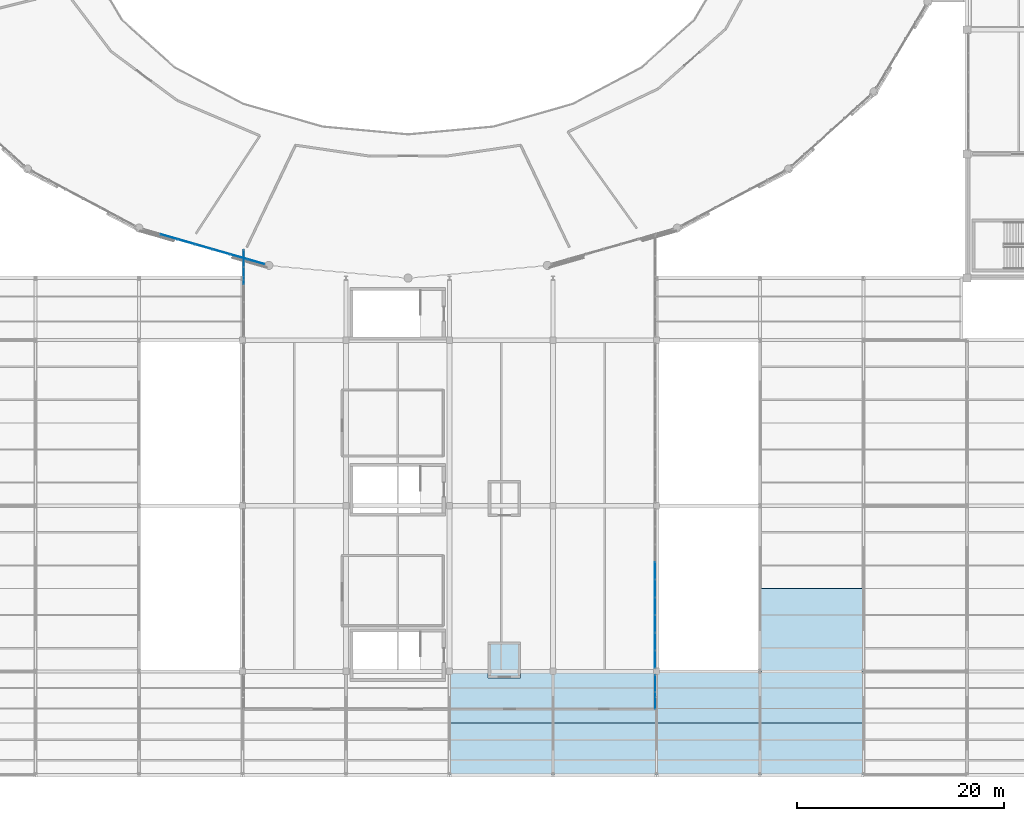
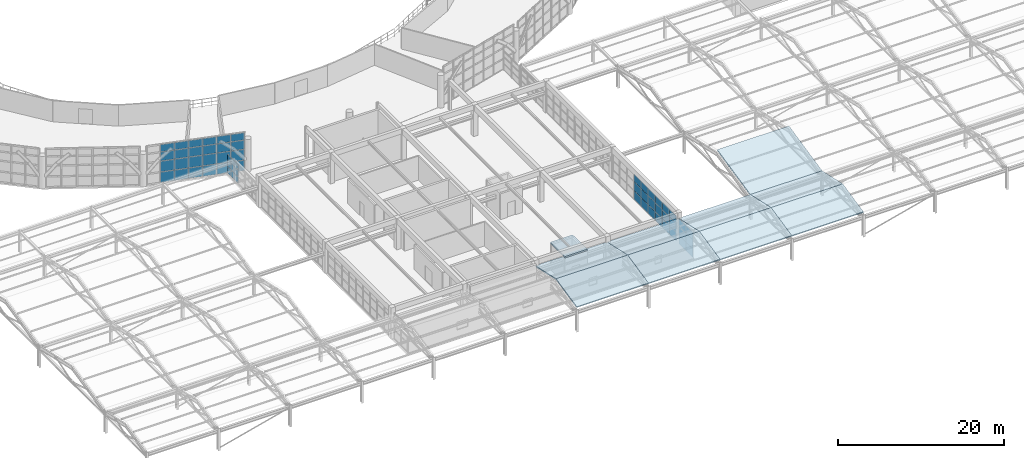
# One storey, part 63 of 109: 54 plates, 10 slabs, 5 elements without a shape of their own.
"""IFC4 building model written with IfcOpenShell, lengths in metres."""

from ifc_helpers import new_model, si_unit, direction, frame, origin, origin_2d, place, context, subcontext, project, spatial, polyline, rectangle, outline, extrude, material, layer, layer_set, type_object, element, aggregate, save


model = new_model("IFC4")

# Units and contexts
model_context = context("Model", 3, precision=1e-05, world=origin(), true_north=direction((0.0, 1.0)))
body_context = subcontext(model_context, "Body", "Model", "MODEL_VIEW")
ifc_project = project(units=[si_unit("LENGTHUNIT", "METRE"), si_unit("AREAUNIT", "SQUARE_METRE"), si_unit("VOLUMEUNIT", "CUBIC_METRE"), si_unit("PLANEANGLEUNIT", "RADIAN"), si_unit("MASSUNIT", "GRAM", prefix="KILO")], contexts=[model_context])

# Site, building, storey
site_placement = place(None, origin())
site = spatial("IfcSite", under=ifc_project, at=site_placement, CompositionType="ELEMENT")
building_placement = place(site_placement, origin())
building = spatial("IfcBuilding", under=site, at=building_placement, Name="Kivolera Central Railway Station", CompositionType="ELEMENT")
storey_placement = place(building_placement, frame((0.0, 0.0, 9.60009765625)))
storey = spatial("IfcBuildingStorey", under=building, at=storey_placement, Name="L02", CompositionType="ELEMENT", Elevation=9.60009765625)

# Curtain wall, plates
ifc_material_1 = material(Name="Anodised aluminium", Category="aluminium")
ifc_layer_1 = layer(ifc_material_1, 0.179931640625, Name="Anodised aluminium")
ifc_layer_set_1 = layer_set([ifc_layer_1], Name="Anodised aluminium")
curtain_wall_type_1 = type_object("IfcCurtainWallType", Name="CW-SYS-11", PredefinedType="NOTDEFINED", material=ifc_layer_set_1)
curtain_wall_1_placement = place(storey_placement, origin())
curtain_wall_1 = element("IfcCurtainWall", 1, at=curtain_wall_1_placement, inside=storey, type_object=curtain_wall_type_1, Name="L02 Curtain Wall CW-L02-OVL-16", PredefinedType="NOTDEFINED")
ifc_material_2 = material(Name="Double low-E laminated glass", Category="glass")
ifc_layer_2 = layer(ifc_material_2, 0.0380859375, Name="Double low-E laminated glass")
ifc_layer_set_2 = layer_set([ifc_layer_2], Name="Double low-E laminated glass")
plate_type_1 = type_object("IfcPlateType", Name="CWP-GLZ-4", PredefinedType="CURTAIN_PANEL", material=ifc_layer_set_2)
plate_1_placement = place(storey_placement, frame((49.29833984375, 55.5830078125, 0.057861328125), z_axis=(0.0, 0.0, 1.0), x_axis=(-0.961246112288, 0.275691696668, 0.0)))
plate_1 = element("IfcPlate", 2, at=plate_1_placement, type_object=plate_type_1, Name="CW-11 panel 1.1", PredefinedType="CURTAIN_PANEL", context=body_context, shape_type="SweptSolid", body=[
    extrude(rectangle(XDim=1.66845703125, YDim=0.0380859375, at=origin_2d()), origin(), (0.0, 0.0, 1.0), 1.51904296875),
])
plate_2_placement = place(storey_placement, frame((49.29833984375, 55.5830078125, 1.623046875), z_axis=(0.0, 0.0, 1.0), x_axis=(-0.961246112288, 0.275691696668, 0.0)))
plate_2 = element("IfcPlate", 3, at=plate_2_placement, type_object=plate_type_1, Name="CW-11 panel 1.2", PredefinedType="CURTAIN_PANEL", context=body_context, shape_type="SweptSolid", body=[
    extrude(rectangle(XDim=1.66845703125, YDim=0.0380859375, at=origin_2d()), origin(), (0.0, 0.0, 1.0), 1.553955078125),
])
plate_3_placement = place(storey_placement, frame((49.29833984375, 55.5830078125, 3.22314453125), z_axis=(0.0, 0.0, 1.0), x_axis=(-0.961246112288, 0.275691696668, 0.0)))
plate_3 = element("IfcPlate", 4, at=plate_3_placement, type_object=plate_type_1, Name="CW-11 panel 1.3", PredefinedType="CURTAIN_PANEL", context=body_context, shape_type="SweptSolid", body=[
    extrude(rectangle(XDim=1.66845703125, YDim=0.0380859375, at=origin_2d()), origin(), (0.0, 0.0, 1.0), 1.303955078125),
])
plate_4_placement = place(storey_placement, frame((49.29833984375, 55.5830078125, 4.57275390625), z_axis=(0.0, 0.0, 1.0), x_axis=(-0.961246112288, 0.275691696668, 0.0)))
plate_4 = element("IfcPlate", 5, at=plate_4_placement, type_object=plate_type_1, Name="CW-11 panel 1.4", PredefinedType="CURTAIN_PANEL", context=body_context, shape_type="SweptSolid", body=[
    extrude(rectangle(XDim=1.66845703125, YDim=0.0380859375, at=origin_2d()), origin(), (0.0, 0.0, 1.0), 1.069091796875),
])
plate_5_placement = place(storey_placement, frame((47.633544921875, 56.060546875, 0.057861328125), z_axis=(0.0, 0.0, 1.0), x_axis=(-0.961246112288, 0.275691696668, 0.0)))
plate_5 = element("IfcPlate", 6, at=plate_5_placement, type_object=plate_type_1, Name="CW-11 panel 2.1", PredefinedType="CURTAIN_PANEL", context=body_context, shape_type="SweptSolid", body=[
    extrude(rectangle(XDim=1.703369140625, YDim=0.0380859375, at=origin_2d()), origin(), (0.0, 0.0, 1.0), 1.51904296875),
])
plate_6_placement = place(storey_placement, frame((47.633544921875, 56.060546875, 1.623046875), z_axis=(0.0, 0.0, 1.0), x_axis=(-0.961246112288, 0.275691696668, 0.0)))
plate_6 = element("IfcPlate", 7, at=plate_6_placement, type_object=plate_type_1, Name="CW-11 panel 2.2", PredefinedType="CURTAIN_PANEL", context=body_context, shape_type="SweptSolid", body=[
    extrude(rectangle(XDim=1.703369140625, YDim=0.0380859375, at=origin_2d()), origin(), (0.0, 0.0, 1.0), 1.553955078125),
])
plate_7_placement = place(storey_placement, frame((47.633544921875, 56.060546875, 3.22314453125), z_axis=(0.0, 0.0, 1.0), x_axis=(-0.961246112288, 0.275691696668, 0.0)))
plate_7 = element("IfcPlate", 8, at=plate_7_placement, type_object=plate_type_1, Name="CW-11 panel 2.3", PredefinedType="CURTAIN_PANEL", context=body_context, shape_type="SweptSolid", body=[
    extrude(rectangle(XDim=1.703369140625, YDim=0.0380859375, at=origin_2d()), origin(), (0.0, 0.0, 1.0), 1.303955078125),
])
plate_8_placement = place(storey_placement, frame((47.633544921875, 56.060546875, 4.57275390625), z_axis=(0.0, 0.0, 1.0), x_axis=(-0.961246112288, 0.275691696668, 0.0)))
plate_8 = element("IfcPlate", 9, at=plate_8_placement, type_object=plate_type_1, Name="CW-11 panel 2.4", PredefinedType="CURTAIN_PANEL", context=body_context, shape_type="SweptSolid", body=[
    extrude(rectangle(XDim=1.703369140625, YDim=0.0380859375, at=origin_2d()), origin(), (0.0, 0.0, 1.0), 1.069091796875),
])
plate_9_placement = place(storey_placement, frame((45.9521484375, 56.542724609375, 0.057861328125), z_axis=(0.0, 0.0, 1.0), x_axis=(-0.961246112288, 0.275691696668, 0.0)))
plate_9 = element("IfcPlate", 10, at=plate_9_placement, type_object=plate_type_1, Name="CW-11 panel 3.1", PredefinedType="CURTAIN_PANEL", context=body_context, shape_type="SweptSolid", body=[
    extrude(rectangle(XDim=1.703369140625, YDim=0.0380859375, at=origin_2d()), origin(), (0.0, 0.0, 1.0), 1.51904296875),
])
plate_10_placement = place(storey_placement, frame((45.9521484375, 56.542724609375, 1.623046875), z_axis=(0.0, 0.0, 1.0), x_axis=(-0.961246112288, 0.275691696668, 0.0)))
plate_10 = element("IfcPlate", 11, at=plate_10_placement, type_object=plate_type_1, Name="CW-11 panel 3.2", PredefinedType="CURTAIN_PANEL", context=body_context, shape_type="SweptSolid", body=[
    extrude(rectangle(XDim=1.703369140625, YDim=0.0380859375, at=origin_2d()), origin(), (0.0, 0.0, 1.0), 1.553955078125),
])
plate_11_placement = place(storey_placement, frame((45.9521484375, 56.542724609375, 3.22314453125), z_axis=(0.0, 0.0, 1.0), x_axis=(-0.961246112288, 0.275691696668, 0.0)))
plate_11 = element("IfcPlate", 12, at=plate_11_placement, type_object=plate_type_1, Name="CW-11 panel 3.3", PredefinedType="CURTAIN_PANEL", context=body_context, shape_type="SweptSolid", body=[
    extrude(rectangle(XDim=1.703369140625, YDim=0.0380859375, at=origin_2d()), origin(), (0.0, 0.0, 1.0), 1.303955078125),
])
plate_12_placement = place(storey_placement, frame((45.9521484375, 56.542724609375, 4.57275390625), z_axis=(0.0, 0.0, 1.0), x_axis=(-0.961246112288, 0.275691696668, 0.0)))
plate_12 = element("IfcPlate", 13, at=plate_12_placement, type_object=plate_type_1, Name="CW-11 panel 3.4", PredefinedType="CURTAIN_PANEL", context=body_context, shape_type="SweptSolid", body=[
    extrude(rectangle(XDim=1.703369140625, YDim=0.0380859375, at=origin_2d()), origin(), (0.0, 0.0, 1.0), 1.069091796875),
])
plate_13_placement = place(storey_placement, frame((44.2705078125, 57.02490234375, 0.057861328125), z_axis=(0.0, 0.0, 1.0), x_axis=(-0.961246112288, 0.275691696668, 0.0)))
plate_13 = element("IfcPlate", 14, at=plate_13_placement, type_object=plate_type_1, Name="CW-11 panel 4.1", PredefinedType="CURTAIN_PANEL", context=body_context, shape_type="SweptSolid", body=[
    extrude(rectangle(XDim=1.703369140625, YDim=0.0380859375, at=origin_2d()), origin(), (0.0, 0.0, 1.0), 1.51904296875),
])
plate_14_placement = place(storey_placement, frame((44.2705078125, 57.02490234375, 1.623046875), z_axis=(0.0, 0.0, 1.0), x_axis=(-0.961246112288, 0.275691696668, 0.0)))
plate_14 = element("IfcPlate", 15, at=plate_14_placement, type_object=plate_type_1, Name="CW-11 panel 4.2", PredefinedType="CURTAIN_PANEL", context=body_context, shape_type="SweptSolid", body=[
    extrude(rectangle(XDim=1.703369140625, YDim=0.0380859375, at=origin_2d()), origin(), (0.0, 0.0, 1.0), 1.553955078125),
])
plate_15_placement = place(storey_placement, frame((44.2705078125, 57.02490234375, 3.22314453125), z_axis=(0.0, 0.0, 1.0), x_axis=(-0.961246112288, 0.275691696668, 0.0)))
plate_15 = element("IfcPlate", 16, at=plate_15_placement, type_object=plate_type_1, Name="CW-11 panel 4.3", PredefinedType="CURTAIN_PANEL", context=body_context, shape_type="SweptSolid", body=[
    extrude(rectangle(XDim=1.703369140625, YDim=0.0380859375, at=origin_2d()), origin(), (0.0, 0.0, 1.0), 1.303955078125),
])
plate_16_placement = place(storey_placement, frame((44.2705078125, 57.02490234375, 4.57275390625), z_axis=(0.0, 0.0, 1.0), x_axis=(-0.961246112288, 0.275691696668, 0.0)))
plate_16 = element("IfcPlate", 17, at=plate_16_placement, type_object=plate_type_1, Name="CW-11 panel 4.4", PredefinedType="CURTAIN_PANEL", context=body_context, shape_type="SweptSolid", body=[
    extrude(rectangle(XDim=1.703369140625, YDim=0.0380859375, at=origin_2d()), origin(), (0.0, 0.0, 1.0), 1.069091796875),
])
plate_17_placement = place(storey_placement, frame((42.5888671875, 57.50732421875, 0.057861328125), z_axis=(0.0, 0.0, 1.0), x_axis=(-0.961246112288, 0.275691696668, 0.0)))
plate_17 = element("IfcPlate", 18, at=plate_17_placement, type_object=plate_type_1, Name="CW-11 panel 5.1", PredefinedType="CURTAIN_PANEL", context=body_context, shape_type="SweptSolid", body=[
    extrude(rectangle(XDim=1.703369140625, YDim=0.0380859375, at=origin_2d()), origin(), (0.0, 0.0, 1.0), 1.51904296875),
])
plate_18_placement = place(storey_placement, frame((42.5888671875, 57.50732421875, 1.623046875), z_axis=(0.0, 0.0, 1.0), x_axis=(-0.961246112288, 0.275691696668, 0.0)))
plate_18 = element("IfcPlate", 19, at=plate_18_placement, type_object=plate_type_1, Name="CW-11 panel 5.2", PredefinedType="CURTAIN_PANEL", context=body_context, shape_type="SweptSolid", body=[
    extrude(rectangle(XDim=1.703369140625, YDim=0.0380859375, at=origin_2d()), origin(), (0.0, 0.0, 1.0), 1.553955078125),
])
plate_19_placement = place(storey_placement, frame((42.5888671875, 57.50732421875, 3.22314453125), z_axis=(0.0, 0.0, 1.0), x_axis=(-0.961246112288, 0.275691696668, 0.0)))
plate_19 = element("IfcPlate", 20, at=plate_19_placement, type_object=plate_type_1, Name="CW-11 panel 5.3", PredefinedType="CURTAIN_PANEL", context=body_context, shape_type="SweptSolid", body=[
    extrude(rectangle(XDim=1.703369140625, YDim=0.0380859375, at=origin_2d()), origin(), (0.0, 0.0, 1.0), 1.303955078125),
])
plate_20_placement = place(storey_placement, frame((42.5888671875, 57.50732421875, 4.57275390625), z_axis=(0.0, 0.0, 1.0), x_axis=(-0.961246112288, 0.275691696668, 0.0)))
plate_20 = element("IfcPlate", 21, at=plate_20_placement, type_object=plate_type_1, Name="CW-11 panel 5.4", PredefinedType="CURTAIN_PANEL", context=body_context, shape_type="SweptSolid", body=[
    extrude(rectangle(XDim=1.703369140625, YDim=0.0380859375, at=origin_2d()), origin(), (0.0, 0.0, 1.0), 1.069091796875),
])
plate_21_placement = place(storey_placement, frame((40.907470703125, 57.989501953125, 0.057861328125), z_axis=(0.0, 0.0, 1.0), x_axis=(-0.961246112288, 0.275691696668, 0.0)))
plate_21 = element("IfcPlate", 22, at=plate_21_placement, type_object=plate_type_1, Name="CW-11 panel 6.1", PredefinedType="CURTAIN_PANEL", context=body_context, shape_type="SweptSolid", body=[
    extrude(rectangle(XDim=1.703369140625, YDim=0.0380859375, at=origin_2d()), origin(), (0.0, 0.0, 1.0), 1.51904296875),
])
plate_22_placement = place(storey_placement, frame((40.907470703125, 57.989501953125, 1.623046875), z_axis=(0.0, 0.0, 1.0), x_axis=(-0.961246112288, 0.275691696668, 0.0)))
plate_22 = element("IfcPlate", 23, at=plate_22_placement, type_object=plate_type_1, Name="CW-11 panel 6.2", PredefinedType="CURTAIN_PANEL", context=body_context, shape_type="SweptSolid", body=[
    extrude(rectangle(XDim=1.703369140625, YDim=0.0380859375, at=origin_2d()), origin(), (0.0, 0.0, 1.0), 1.553955078125),
])
plate_23_placement = place(storey_placement, frame((40.907470703125, 57.989501953125, 3.22314453125), z_axis=(0.0, 0.0, 1.0), x_axis=(-0.961246112288, 0.275691696668, 0.0)))
plate_23 = element("IfcPlate", 24, at=plate_23_placement, type_object=plate_type_1, Name="CW-11 panel 6.3", PredefinedType="CURTAIN_PANEL", context=body_context, shape_type="SweptSolid", body=[
    extrude(rectangle(XDim=1.703369140625, YDim=0.0380859375, at=origin_2d()), origin(), (0.0, 0.0, 1.0), 1.303955078125),
])
plate_24_placement = place(storey_placement, frame((40.907470703125, 57.989501953125, 4.57275390625), z_axis=(0.0, 0.0, 1.0), x_axis=(-0.961246112288, 0.275691696668, 0.0)))
plate_24 = element("IfcPlate", 25, at=plate_24_placement, type_object=plate_type_1, Name="CW-11 panel 6.4", PredefinedType="CURTAIN_PANEL", context=body_context, shape_type="SweptSolid", body=[
    extrude(rectangle(XDim=1.703369140625, YDim=0.0380859375, at=origin_2d()), origin(), (0.0, 0.0, 1.0), 1.069091796875),
])
aggregate(curtain_wall_1, [plate_1, plate_2, plate_3, plate_4, plate_5, plate_6, plate_7, plate_8, plate_9, plate_10, plate_11, plate_12, plate_13, plate_14, plate_15, plate_16, plate_17, plate_18, plate_19, plate_20, plate_21, plate_22, plate_23, plate_24])

ifc_layer_3 = layer(ifc_material_1, 0.179931640625, Name="Anodised aluminium")
ifc_layer_set_3 = layer_set([ifc_layer_3], Name="Anodised aluminium")
curtain_wall_type_2 = type_object("IfcCurtainWallType", Name="CW-SYS-17", PredefinedType="NOTDEFINED", material=ifc_layer_set_3)
curtain_wall_2_placement = place(storey_placement, origin())
curtain_wall_2 = element("IfcCurtainWall", 26, at=curtain_wall_2_placement, inside=storey, type_object=curtain_wall_type_2, Name="L02 Curtain Wall CW-L02-BRGE-1", PredefinedType="NOTDEFINED")
plate_25_placement = place(storey_placement, frame((87.8798828125, 14.840087890625, 0.0478515625), z_axis=(0.0, 0.0, 1.0), x_axis=(0.0, -1.0, 0.0)))
plate_25 = element("IfcPlate", 27, at=plate_25_placement, type_object=plate_type_1, Name="CW-17 panel 1.1", PredefinedType="CURTAIN_PANEL", context=body_context, shape_type="SweptSolid", body=[
    extrude(rectangle(XDim=1.60400390625, YDim=0.0380859375, at=origin_2d()), origin(), (0.0, 0.0, 1.0), 1.263916015625),
])
plate_26_placement = place(storey_placement, frame((87.8798828125, 14.840087890625, 1.347900390625), z_axis=(0.0, 0.0, 1.0), x_axis=(0.0, -1.0, 0.0)))
plate_26 = element("IfcPlate", 28, at=plate_26_placement, type_object=plate_type_1, Name="CW-17 panel 1.2", PredefinedType="CURTAIN_PANEL", context=body_context, shape_type="SweptSolid", body=[
    extrude(rectangle(XDim=1.60400390625, YDim=0.0380859375, at=origin_2d()), origin(), (0.0, 0.0, 1.0), 1.2939453125),
])
plate_27_placement = place(storey_placement, frame((87.8798828125, 14.840087890625, 2.677734375), z_axis=(0.0, 0.0, 1.0), x_axis=(0.0, -1.0, 0.0)))
plate_27 = element("IfcPlate", 29, at=plate_27_placement, type_object=plate_type_1, Name="CW-17 panel 1.3", PredefinedType="CURTAIN_PANEL", context=body_context, shape_type="SweptSolid", body=[
    extrude(rectangle(XDim=1.60400390625, YDim=0.0380859375, at=origin_2d()), origin(), (0.0, 0.0, 1.0), 1.073974609375),
])
plate_28_placement = place(storey_placement, frame((87.8798828125, 13.199951171875, 0.0478515625), z_axis=(0.0, 0.0, 1.0), x_axis=(0.0, -1.0, 0.0)))
plate_28 = element("IfcPlate", 30, at=plate_28_placement, type_object=plate_type_1, Name="CW-17 panel 2.1", PredefinedType="CURTAIN_PANEL", context=body_context, shape_type="SweptSolid", body=[
    extrude(rectangle(XDim=1.60400390625, YDim=0.0380859375, at=origin_2d()), origin(), (0.0, 0.0, 1.0), 1.263916015625),
])
plate_29_placement = place(storey_placement, frame((87.8798828125, 13.199951171875, 1.347900390625), z_axis=(0.0, 0.0, 1.0), x_axis=(0.0, -1.0, 0.0)))
plate_29 = element("IfcPlate", 31, at=plate_29_placement, type_object=plate_type_1, Name="CW-17 panel 2.2", PredefinedType="CURTAIN_PANEL", context=body_context, shape_type="SweptSolid", body=[
    extrude(rectangle(XDim=1.60400390625, YDim=0.0380859375, at=origin_2d()), origin(), (0.0, 0.0, 1.0), 1.2939453125),
])
plate_30_placement = place(storey_placement, frame((87.8798828125, 13.199951171875, 2.677734375), z_axis=(0.0, 0.0, 1.0), x_axis=(0.0, -1.0, 0.0)))
plate_30 = element("IfcPlate", 32, at=plate_30_placement, type_object=plate_type_1, Name="CW-17 panel 2.3", PredefinedType="CURTAIN_PANEL", context=body_context, shape_type="SweptSolid", body=[
    extrude(rectangle(XDim=1.60400390625, YDim=0.0380859375, at=origin_2d()), origin(), (0.0, 0.0, 1.0), 1.073974609375),
])
aggregate(curtain_wall_2, [plate_25, plate_26, plate_27, plate_28, plate_29, plate_30])

ifc_layer_4 = layer(ifc_material_1, 0.179931640625, Name="Anodised aluminium")
ifc_layer_set_4 = layer_set([ifc_layer_4], Name="Anodised aluminium")
curtain_wall_type_3 = type_object("IfcCurtainWallType", Name="CW-SYS-18", PredefinedType="NOTDEFINED", material=ifc_layer_set_4)
curtain_wall_3_placement = place(storey_placement, origin())
curtain_wall_3 = element("IfcCurtainWall", 33, at=curtain_wall_3_placement, inside=storey, type_object=curtain_wall_type_3, Name="L02 Curtain Wall CW-L02-BRGE-2", PredefinedType="NOTDEFINED")
ifc_layer_5 = layer(ifc_material_2, 0.0419921875, Name="Double low-E laminated glass")
ifc_layer_set_5 = layer_set([ifc_layer_5], Name="Double low-E laminated glass")
plate_type_2 = type_object("IfcPlateType", Name="CWP-GLZ-5", PredefinedType="CURTAIN_PANEL", material=ifc_layer_set_5)
plate_31_placement = place(storey_placement, frame((87.8798828125, 25.708984375, 0.0478515625), z_axis=(0.0, 0.0, 1.0), x_axis=(0.0, -1.0, 0.0)))
plate_31 = element("IfcPlate", 34, at=plate_31_placement, type_object=plate_type_2, Name="CW-18 panel 4.1", PredefinedType="CURTAIN_PANEL", context=body_context, shape_type="SweptSolid", body=[
    extrude(rectangle(XDim=1.6728515625, YDim=0.0419921875, at=origin_2d()), origin(), (0.0, 0.0, 1.0), 1.263916015625),
])
plate_32_placement = place(storey_placement, frame((87.8798828125, 25.708984375, 1.347900390625), z_axis=(0.0, 0.0, 1.0), x_axis=(0.0, -1.0, 0.0)))
plate_32 = element("IfcPlate", 35, at=plate_32_placement, type_object=plate_type_2, Name="CW-18 panel 4.2", PredefinedType="CURTAIN_PANEL", context=body_context, shape_type="SweptSolid", body=[
    extrude(rectangle(XDim=1.6728515625, YDim=0.0419921875, at=origin_2d()), origin(), (0.0, 0.0, 1.0), 1.2939453125),
])
plate_33_placement = place(storey_placement, frame((87.8798828125, 25.708984375, 2.677734375), z_axis=(0.0, 0.0, 1.0), x_axis=(0.0, -1.0, 0.0)))
plate_33 = element("IfcPlate", 36, at=plate_33_placement, type_object=plate_type_2, Name="CW-18 panel 4.3", PredefinedType="CURTAIN_PANEL", context=body_context, shape_type="SweptSolid", body=[
    extrude(rectangle(XDim=1.6728515625, YDim=0.0419921875, at=origin_2d()), origin(), (0.0, 0.0, 1.0), 1.073974609375),
])
plate_34_placement = place(storey_placement, frame((87.8798828125, 24.0, 0.0478515625), z_axis=(0.0, 0.0, 1.0), x_axis=(0.0, -1.0, 0.0)))
plate_34 = element("IfcPlate", 37, at=plate_34_placement, type_object=plate_type_2, Name="CW-18 panel 5.1", PredefinedType="CURTAIN_PANEL", context=body_context, shape_type="SweptSolid", body=[
    extrude(rectangle(XDim=1.6728515625, YDim=0.0419921875, at=origin_2d()), origin(), (0.0, 0.0, 1.0), 1.263916015625),
])
plate_35_placement = place(storey_placement, frame((87.8798828125, 24.0, 1.347900390625), z_axis=(0.0, 0.0, 1.0), x_axis=(0.0, -1.0, 0.0)))
plate_35 = element("IfcPlate", 38, at=plate_35_placement, type_object=plate_type_2, Name="CW-18 panel 5.2", PredefinedType="CURTAIN_PANEL", context=body_context, shape_type="SweptSolid", body=[
    extrude(rectangle(XDim=1.6728515625, YDim=0.0419921875, at=origin_2d()), origin(), (0.0, 0.0, 1.0), 1.2939453125),
])
plate_36_placement = place(storey_placement, frame((87.8798828125, 24.0, 2.677734375), z_axis=(0.0, 0.0, 1.0), x_axis=(0.0, -1.0, 0.0)))
plate_36 = element("IfcPlate", 39, at=plate_36_placement, type_object=plate_type_2, Name="CW-18 panel 5.3", PredefinedType="CURTAIN_PANEL", context=body_context, shape_type="SweptSolid", body=[
    extrude(rectangle(XDim=1.6728515625, YDim=0.0419921875, at=origin_2d()), origin(), (0.0, 0.0, 1.0), 1.073974609375),
])
plate_37_placement = place(storey_placement, frame((87.8798828125, 22.291015625, 0.0478515625), z_axis=(0.0, 0.0, 1.0), x_axis=(0.0, -1.0, 0.0)))
plate_37 = element("IfcPlate", 40, at=plate_37_placement, type_object=plate_type_2, Name="CW-18 panel 6.1", PredefinedType="CURTAIN_PANEL", context=body_context, shape_type="SweptSolid", body=[
    extrude(rectangle(XDim=1.6728515625, YDim=0.0419921875, at=origin_2d()), origin(), (0.0, 0.0, 1.0), 1.263916015625),
])
plate_38_placement = place(storey_placement, frame((87.8798828125, 22.291015625, 1.347900390625), z_axis=(0.0, 0.0, 1.0), x_axis=(0.0, -1.0, 0.0)))
plate_38 = element("IfcPlate", 41, at=plate_38_placement, type_object=plate_type_2, Name="CW-18 panel 6.2", PredefinedType="CURTAIN_PANEL", context=body_context, shape_type="SweptSolid", body=[
    extrude(rectangle(XDim=1.6728515625, YDim=0.0419921875, at=origin_2d()), origin(), (0.0, 0.0, 1.0), 1.2939453125),
])
plate_39_placement = place(storey_placement, frame((87.8798828125, 22.291015625, 2.677734375), z_axis=(0.0, 0.0, 1.0), x_axis=(0.0, -1.0, 0.0)))
plate_39 = element("IfcPlate", 42, at=plate_39_placement, type_object=plate_type_2, Name="CW-18 panel 6.3", PredefinedType="CURTAIN_PANEL", context=body_context, shape_type="SweptSolid", body=[
    extrude(rectangle(XDim=1.6728515625, YDim=0.0419921875, at=origin_2d()), origin(), (0.0, 0.0, 1.0), 1.073974609375),
])
plate_40_placement = place(storey_placement, frame((87.8798828125, 20.582275390625, 0.0478515625), z_axis=(0.0, 0.0, 1.0), x_axis=(0.0, -1.0, 0.0)))
plate_40 = element("IfcPlate", 43, at=plate_40_placement, type_object=plate_type_2, Name="CW-18 panel 7.1", PredefinedType="CURTAIN_PANEL", context=body_context, shape_type="SweptSolid", body=[
    extrude(rectangle(XDim=1.6728515625, YDim=0.0419921875, at=origin_2d()), origin(), (0.0, 0.0, 1.0), 1.263916015625),
])
plate_41_placement = place(storey_placement, frame((87.8798828125, 20.582275390625, 1.347900390625), z_axis=(0.0, 0.0, 1.0), x_axis=(0.0, -1.0, 0.0)))
plate_41 = element("IfcPlate", 44, at=plate_41_placement, type_object=plate_type_2, Name="CW-18 panel 7.2", PredefinedType="CURTAIN_PANEL", context=body_context, shape_type="SweptSolid", body=[
    extrude(rectangle(XDim=1.6728515625, YDim=0.0419921875, at=origin_2d()), origin(), (0.0, 0.0, 1.0), 1.2939453125),
])
plate_42_placement = place(storey_placement, frame((87.8798828125, 20.582275390625, 2.677734375), z_axis=(0.0, 0.0, 1.0), x_axis=(0.0, -1.0, 0.0)))
plate_42 = element("IfcPlate", 45, at=plate_42_placement, type_object=plate_type_2, Name="CW-18 panel 7.3", PredefinedType="CURTAIN_PANEL", context=body_context, shape_type="SweptSolid", body=[
    extrude(rectangle(XDim=1.6728515625, YDim=0.0419921875, at=origin_2d()), origin(), (0.0, 0.0, 1.0), 1.073974609375),
])
plate_43_placement = place(storey_placement, frame((87.8798828125, 18.873291015625, 0.0478515625), z_axis=(0.0, 0.0, 1.0), x_axis=(0.0, -1.0, 0.0)))
plate_43 = element("IfcPlate", 46, at=plate_43_placement, type_object=plate_type_2, Name="CW-18 panel 8.1", PredefinedType="CURTAIN_PANEL", context=body_context, shape_type="SweptSolid", body=[
    extrude(rectangle(XDim=1.6728515625, YDim=0.0419921875, at=origin_2d()), origin(), (0.0, 0.0, 1.0), 1.263916015625),
])
plate_44_placement = place(storey_placement, frame((87.8798828125, 18.873291015625, 1.347900390625), z_axis=(0.0, 0.0, 1.0), x_axis=(0.0, -1.0, 0.0)))
plate_44 = element("IfcPlate", 47, at=plate_44_placement, type_object=plate_type_2, Name="CW-18 panel 8.2", PredefinedType="CURTAIN_PANEL", context=body_context, shape_type="SweptSolid", body=[
    extrude(rectangle(XDim=1.6728515625, YDim=0.0419921875, at=origin_2d()), origin(), (0.0, 0.0, 1.0), 1.2939453125),
])
plate_45_placement = place(storey_placement, frame((87.8798828125, 18.873291015625, 2.677734375), z_axis=(0.0, 0.0, 1.0), x_axis=(0.0, -1.0, 0.0)))
plate_45 = element("IfcPlate", 48, at=plate_45_placement, type_object=plate_type_2, Name="CW-18 panel 8.3", PredefinedType="CURTAIN_PANEL", context=body_context, shape_type="SweptSolid", body=[
    extrude(rectangle(XDim=1.6728515625, YDim=0.0419921875, at=origin_2d()), origin(), (0.0, 0.0, 1.0), 1.073974609375),
])
plate_46_placement = place(storey_placement, frame((87.8798828125, 17.179443359375, 0.0478515625), z_axis=(0.0, 0.0, 1.0), x_axis=(0.0, -1.0, 0.0)))
plate_46 = element("IfcPlate", 49, at=plate_46_placement, type_object=plate_type_2, Name="CW-18 panel 9.1", PredefinedType="CURTAIN_PANEL", context=body_context, shape_type="SweptSolid", body=[
    extrude(rectangle(XDim=1.642822265625, YDim=0.0419921875, at=origin_2d()), origin(), (0.0, 0.0, 1.0), 1.263916015625),
])
plate_47_placement = place(storey_placement, frame((87.8798828125, 17.179443359375, 1.347900390625), z_axis=(0.0, 0.0, 1.0), x_axis=(0.0, -1.0, 0.0)))
plate_47 = element("IfcPlate", 50, at=plate_47_placement, type_object=plate_type_2, Name="CW-18 panel 9.2", PredefinedType="CURTAIN_PANEL", context=body_context, shape_type="SweptSolid", body=[
    extrude(rectangle(XDim=1.642822265625, YDim=0.0419921875, at=origin_2d()), origin(), (0.0, 0.0, 1.0), 1.2939453125),
])
plate_48_placement = place(storey_placement, frame((87.8798828125, 17.179443359375, 2.677734375), z_axis=(0.0, 0.0, 1.0), x_axis=(0.0, -1.0, 0.0)))
plate_48 = element("IfcPlate", 51, at=plate_48_placement, type_object=plate_type_2, Name="CW-18 panel 9.3", PredefinedType="CURTAIN_PANEL", context=body_context, shape_type="SweptSolid", body=[
    extrude(rectangle(XDim=1.642822265625, YDim=0.0419921875, at=origin_2d()), origin(), (0.0, 0.0, 1.0), 1.073974609375),
])
aggregate(curtain_wall_3, [plate_31, plate_32, plate_33, plate_34, plate_35, plate_36, plate_37, plate_38, plate_39, plate_40, plate_41, plate_42, plate_43, plate_44, plate_45, plate_46, plate_47, plate_48])

ifc_layer_6 = layer(ifc_material_1, 0.179931640625, Name="Anodised aluminium")
ifc_layer_set_6 = layer_set([ifc_layer_6], Name="Anodised aluminium")
curtain_wall_type_4 = type_object("IfcCurtainWallType", Name="CW-SYS-19", PredefinedType="NOTDEFINED", material=ifc_layer_set_6)
curtain_wall_4_placement = place(storey_placement, origin())
curtain_wall_4 = element("IfcCurtainWall", 52, at=curtain_wall_4_placement, inside=storey, type_object=curtain_wall_type_4, Name="L02 Curtain Wall CW-L02-BRGW-4", PredefinedType="NOTDEFINED")
plate_49_placement = place(storey_placement, frame((48.1201171875, 54.218017578125, 0.0478515625), z_axis=(0.0, 0.0, 1.0), x_axis=(0.0, 1.0, 0.0)))
plate_49 = element("IfcPlate", 53, at=plate_49_placement, type_object=plate_type_2, Name="CW-19 panel 4.1", PredefinedType="CURTAIN_PANEL", context=body_context, shape_type="SweptSolid", body=[
    extrude(rectangle(XDim=1.652099609375, YDim=0.0419921875, at=origin_2d()), origin(), (0.0, 0.0, 1.0), 0.9208984375),
])
plate_50_placement = place(storey_placement, frame((48.1201171875, 54.218017578125, 1.0048828125), z_axis=(0.0, 0.0, 1.0), x_axis=(0.0, 1.0, 0.0)))
plate_50 = element("IfcPlate", 54, at=plate_50_placement, type_object=plate_type_2, Name="CW-19 panel 4.2", PredefinedType="CURTAIN_PANEL", context=body_context, shape_type="SweptSolid", body=[
    extrude(rectangle(XDim=1.652099609375, YDim=0.0419921875, at=origin_2d()), origin(), (0.0, 0.0, 1.0), 0.950927734375),
])
plate_51_placement = place(storey_placement, frame((48.1201171875, 54.218017578125, 1.99169921875), z_axis=(0.0, 0.0, 1.0), x_axis=(0.0, 1.0, 0.0)))
plate_51 = element("IfcPlate", 55, at=plate_51_placement, type_object=plate_type_2, Name="CW-19 panel 4.3", PredefinedType="CURTAIN_PANEL", context=body_context, shape_type="SweptSolid", body=[
    extrude(rectangle(XDim=1.652099609375, YDim=0.0419921875, at=origin_2d()), origin(), (0.0, 0.0, 1.0), 0.780029296875),
])
plate_52_placement = place(storey_placement, frame((48.1201171875, 55.89111328125, 0.0478515625), z_axis=(0.0, 0.0, 1.0), x_axis=(0.0, 1.0, 0.0)))
plate_52 = element("IfcPlate", 56, at=plate_52_placement, type_object=plate_type_2, Name="CW-19 panel 5.1", PredefinedType="CURTAIN_PANEL", context=body_context, shape_type="SweptSolid", body=[
    extrude(rectangle(XDim=1.6220703125, YDim=0.0419921875, at=origin_2d()), origin(), (0.0, 0.0, 1.0), 0.9208984375),
])
plate_53_placement = place(storey_placement, frame((48.1201171875, 55.89111328125, 1.0048828125), z_axis=(0.0, 0.0, 1.0), x_axis=(0.0, 1.0, 0.0)))
plate_53 = element("IfcPlate", 57, at=plate_53_placement, type_object=plate_type_2, Name="CW-19 panel 5.2", PredefinedType="CURTAIN_PANEL", context=body_context, shape_type="SweptSolid", body=[
    extrude(rectangle(XDim=1.6220703125, YDim=0.0419921875, at=origin_2d()), origin(), (0.0, 0.0, 1.0), 0.950927734375),
])
plate_54_placement = place(storey_placement, frame((48.1201171875, 55.89111328125, 1.99169921875), z_axis=(0.0, 0.0, 1.0), x_axis=(0.0, 1.0, 0.0)))
plate_54 = element("IfcPlate", 58, at=plate_54_placement, type_object=plate_type_2, Name="CW-19 panel 5.3", PredefinedType="CURTAIN_PANEL", context=body_context, shape_type="SweptSolid", body=[
    extrude(rectangle(XDim=1.6220703125, YDim=0.0419921875, at=origin_2d()), origin(), (0.0, 0.0, 1.0), 0.780029296875),
])
aggregate(curtain_wall_4, [plate_49, plate_50, plate_51, plate_52, plate_53, plate_54])

# Slab
ifc_material_3 = material(Name="Concrete C40/50", Category="concrete")
ifc_layer_7 = layer(ifc_material_3, 0.22998046875, Name="Concrete C40/50")
ifc_layer_set_7 = layer_set([ifc_layer_7], Name="Concrete C40/50")
slab_type_1 = type_object("IfcSlabType", Name="SLB-FLR-230", PredefinedType="FLOOR", material=ifc_layer_set_7)
slab_1_placement = place(storey_placement, frame((0.0, 0.0, 3.7998046875)))
element("IfcSlab", 59, at=slab_1_placement, inside=storey, type_object=slab_type_1, Name="L02 Lift PL5 Shaft Overrun Cap Slab", PredefinedType="FLOOR", context=body_context, shape_type="SweptSolid", body=[
    extrude(outline(polyline([(71.739990234375, 15.340087890625), (74.860107421875, 15.340087890625), (74.860107421875, 18.860107421875), (71.739990234375, 18.860107421875), (71.739990234375, 15.340087890625)])), origin(), (0.0, 0.0, 1.0), 0.22998046875),
])

# Roof, slabs
ifc_material_4 = material(Name="Steel S355", Category="steel")
roof_type = type_object("IfcRoofType", Name="ROOF-SYS-1", PredefinedType="GABLE_ROOF", material=ifc_material_4)
roof_placement = place(storey_placement, origin())
roof = element("IfcRoof", 60, at=roof_placement, inside=storey, type_object=roof_type, Name="Southern Through-Platform Dual-Pitch Steel Train-Shed Roof", PredefinedType="GABLE_ROOF")
ifc_material_5 = material(Name="Precast concrete C40/50", Category="concrete")
ifc_layer_8 = layer(ifc_material_5, 0.159912109375, Name="Precast concrete C40/50")
ifc_layer_set_8 = layer_set([ifc_layer_8], Name="Precast concrete C40/50")
slab_type_2 = type_object("IfcSlabType", Name="SLB-SHED-160", PredefinedType="ROOF", material=ifc_layer_set_8)
slab_2_placement = place(storey_placement, frame((68.0, 6.0, 3.599853515625), z_axis=(0.0, -0.214879977038, 0.976640463768), x_axis=(1.0, 0.0, 0.0)))
slab_2 = element("IfcSlab", 61, at=slab_2_placement, type_object=slab_type_2, Name="Train Shed Sloped Roof Panel AB-07S", PredefinedType="ROOF", context=body_context, shape_type="SweptSolid", body=[
    extrude(outline(polyline([(0.0, 0.0), (10.0, 0.0), (10.0, 5.119591277952445), (0.0, 5.119591277952445), (0.0, 0.0)])), origin(), (0.0, 0.0, -1.0), 0.159912109375),
])
slab_3_placement = place(storey_placement, frame((68.0, 11.0, 4.699951171875), z_axis=(0.0, 0.214879977038, 0.976640463768), x_axis=(1.0, 0.0, 0.0)))
slab_3 = element("IfcSlab", 62, at=slab_3_placement, type_object=slab_type_2, Name="Train Shed Sloped Roof Panel AB-07N", PredefinedType="ROOF", context=body_context, shape_type="SweptSolid", body=[
    extrude(outline(polyline([(0.0, 0.0), (10.0, 0.0), (10.0, 5.119591277952445), (0.0, 5.119591277952445), (0.0, 0.0)])), origin(), (0.0, 0.0, -1.0), 0.159912109375),
])
slab_4_placement = place(storey_placement, frame((78.0, 6.0, 3.599853515625), z_axis=(0.0, -0.214879977038, 0.976640463768), x_axis=(1.0, 0.0, 0.0)))
slab_4 = element("IfcSlab", 63, at=slab_4_placement, type_object=slab_type_2, Name="Train Shed Sloped Roof Panel AB-08S", PredefinedType="ROOF", context=body_context, shape_type="SweptSolid", body=[
    extrude(outline(polyline([(0.0, 0.0), (10.0, 0.0), (10.0, 5.119591277952445), (0.0, 5.119591277952445), (0.0, 0.0)])), origin(), (0.0, 0.0, -1.0), 0.159912109375),
])
slab_5_placement = place(storey_placement, frame((78.0, 11.0, 4.699951171875), z_axis=(0.0, 0.214879977038, 0.976640463768), x_axis=(1.0, 0.0, 0.0)))
slab_5 = element("IfcSlab", 64, at=slab_5_placement, type_object=slab_type_2, Name="Train Shed Sloped Roof Panel AB-08N", PredefinedType="ROOF", context=body_context, shape_type="SweptSolid", body=[
    extrude(outline(polyline([(0.0, 0.0), (10.0, 0.0), (10.0, 5.119591277952445), (0.0, 5.119591277952445), (0.0, 0.0)])), origin(), (0.0, 0.0, -1.0), 0.159912109375),
])
slab_6_placement = place(storey_placement, frame((88.0, 6.0, 3.599853515625), z_axis=(0.0, -0.214879977038, 0.976640463768), x_axis=(1.0, 0.0, 0.0)))
slab_6 = element("IfcSlab", 65, at=slab_6_placement, type_object=slab_type_2, Name="Train Shed Sloped Roof Panel AB-09S", PredefinedType="ROOF", context=body_context, shape_type="SweptSolid", body=[
    extrude(outline(polyline([(0.0, 0.0), (10.0, 0.0), (10.0, 5.119591277952445), (0.0, 5.119591277952445), (0.0, 0.0)])), origin(), (0.0, 0.0, -1.0), 0.159912109375),
])
slab_7_placement = place(storey_placement, frame((88.0, 11.0, 4.699951171875), z_axis=(0.0, 0.214879977038, 0.976640463768), x_axis=(1.0, 0.0, 0.0)))
slab_7 = element("IfcSlab", 66, at=slab_7_placement, type_object=slab_type_2, Name="Train Shed Sloped Roof Panel AB-09N", PredefinedType="ROOF", context=body_context, shape_type="SweptSolid", body=[
    extrude(outline(polyline([(0.0, 0.0), (10.0, 0.0), (10.0, 5.119591277952445), (0.0, 5.119591277952445), (0.0, 0.0)])), origin(), (0.0, 0.0, -1.0), 0.159912109375),
])
slab_8_placement = place(storey_placement, frame((98.0, 6.0, 3.599853515625), z_axis=(0.0, -0.214879977038, 0.976640463768), x_axis=(1.0, 0.0, 0.0)))
slab_8 = element("IfcSlab", 67, at=slab_8_placement, type_object=slab_type_2, Name="Train Shed Sloped Roof Panel AB-10S", PredefinedType="ROOF", context=body_context, shape_type="SweptSolid", body=[
    extrude(outline(polyline([(0.0, 0.0), (10.0, 0.0), (10.0, 5.119591277952445), (0.0, 5.119591277952445), (0.0, 0.0)])), origin(), (0.0, 0.0, -1.0), 0.159912109375),
])
slab_9_placement = place(storey_placement, frame((98.0, 11.0, 4.699951171875), z_axis=(0.0, 0.214879977038, 0.976640463768), x_axis=(1.0, 0.0, 0.0)))
slab_9 = element("IfcSlab", 68, at=slab_9_placement, type_object=slab_type_2, Name="Train Shed Sloped Roof Panel AB-10N", PredefinedType="ROOF", context=body_context, shape_type="SweptSolid", body=[
    extrude(outline(polyline([(0.0, 0.0), (10.0, 0.0), (10.0, 5.119591277952445), (0.0, 5.119591277952445), (0.0, 0.0)])), origin(), (0.0, 0.0, -1.0), 0.159912109375),
])
slab_10_placement = place(storey_placement, frame((98.0, 16.0, 3.599853515625), z_axis=(0.0, -0.214862919829, 0.97664421653), x_axis=(1.0, 0.0, 0.0)))
slab_10 = element("IfcSlab", 69, at=slab_10_placement, type_object=slab_type_2, Name="Train Shed Sloped Roof Panel BC-10S", PredefinedType="ROOF", context=body_context, shape_type="SweptSolid", body=[
    extrude(outline(polyline([(0.0, 0.0), (10.0, 0.0), (10.0, 8.19131456941408), (0.0, 8.19131456941408), (0.0, 0.0)])), origin(), (0.0, 0.0, -1.0), 0.159912109375),
])
aggregate(roof, [slab_2, slab_3, slab_4, slab_5, slab_6, slab_7, slab_8, slab_9, slab_10])

save(model, "model.ifc")
